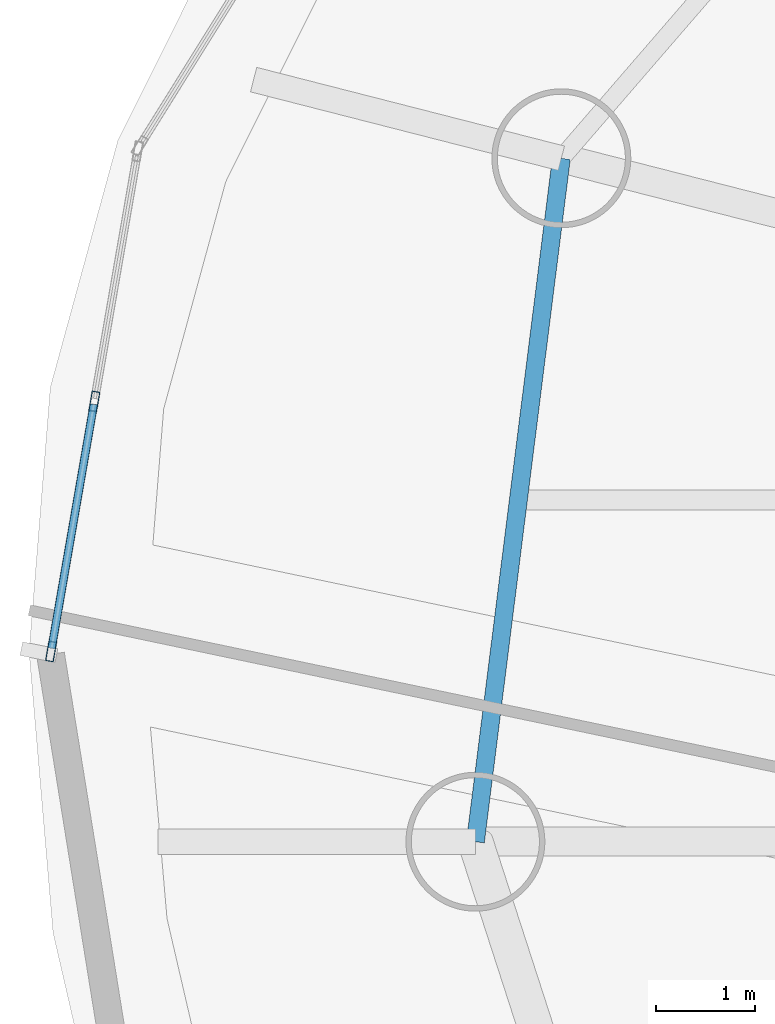
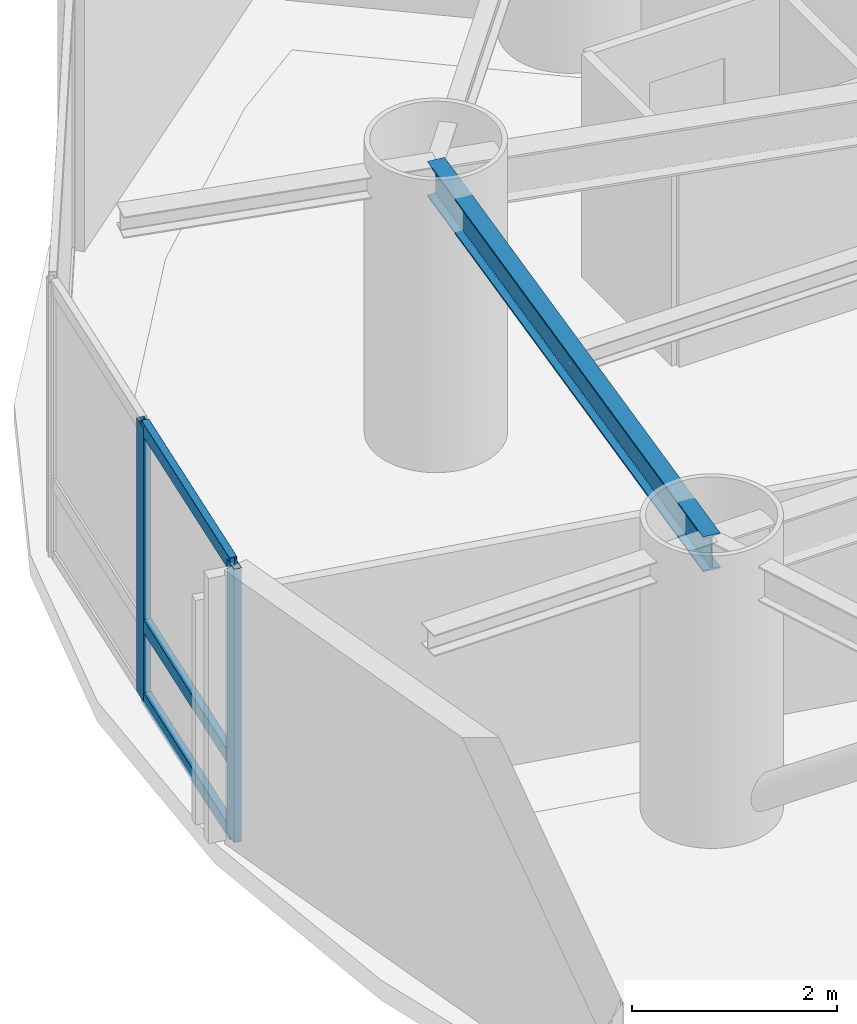
# One storey, part 5 of 22: 5 members, 1 beam, 1 element without a shape of its own.
"""IFC4 building model written with IfcOpenShell, lengths in metres."""

from ifc_helpers import new_model, si_unit, direction, frame, origin, origin_2d, place, context, subcontext, project, spatial, hollow_rectangle, i_section, extrude, material, layer, layer_set, material_profile, profile_set, type_object, element, aggregate, save


model = new_model("IFC4")

# Units and contexts
model_context = context("Model", 3, precision=1e-05, world=origin(), true_north=direction((0.0, 1.0)))
body_context = subcontext(model_context, "Body", "Model", "MODEL_VIEW")
ifc_project = project(units=[si_unit("LENGTHUNIT", "METRE"), si_unit("AREAUNIT", "SQUARE_METRE"), si_unit("VOLUMEUNIT", "CUBIC_METRE"), si_unit("PLANEANGLEUNIT", "RADIAN"), si_unit("MASSUNIT", "GRAM", prefix="KILO")], contexts=[model_context])

# Site, building, storey
site_placement = place(None, origin())
site = spatial("IfcSite", under=ifc_project, at=site_placement, CompositionType="ELEMENT")
building_placement = place(site_placement, origin())
building = spatial("IfcBuilding", under=site, at=building_placement, Name="Bramvorn Convention Spire", CompositionType="ELEMENT")
storey_placement = place(building_placement, frame((0.0, 0.0, 116.800048828125)))
storey = spatial("IfcBuildingStorey", under=building, at=storey_placement, Name="L28", CompositionType="ELEMENT", Elevation=116.800048828125)

# Beam
ifc_material_1 = material(Name="Steel CSA G40.21 Grade 350 (350W)", Category="steel")
ifc_material_profile_1 = material_profile(ifc_material_1, i_section(OverallWidth=0.180908203125, OverallDepth=0.4169921875, WebThickness=0.010986328125, FlangeThickness=0.018310546875, FilletRadius=0.01611328125, at=origin_2d()))
ifc_profile_set_1 = profile_set([ifc_material_profile_1], Name="Steel CSA G40.21 Grade 350 (350W) - W410X85")
beam_type = type_object("IfcBeamType", Name="BM-W410X85", PredefinedType="JOIST", material=ifc_profile_set_1)
beam_placement = place(storey_placement, frame((13.88232421875, 36.73779296875, 3.051513671875), z_axis=(-0.124775053879, -0.992185056292, 0.0), x_axis=(0.992185056292, -0.124775053879, 0.0)))
element("IfcBeam", 1, at=beam_placement, inside=storey, type_object=beam_type, Name="L28 mega-column ring beam 09", PredefinedType="JOIST", context=body_context, shape_type="SweptSolid", body=[
    extrude(i_section(OverallWidth=0.180908203125, OverallDepth=0.4169921875, WebThickness=0.010986328125, FlangeThickness=0.018310546875, FilletRadius=0.01611328125, at=origin_2d()), origin(), (0.0, 0.0, 1.0), 6.940185546875),
])

# Curtain wall, members
ifc_material_2 = material(Name="Anodised Bronze Unitised Curtain Wall", Category="aluminium")
ifc_layer = layer(ifc_material_2, 0.179931640625)
ifc_layer_set = layer_set([ifc_layer], Name="Anodised Bronze Unitised Curtain Wall - CW-HTL-FRIT")
curtain_wall_type = type_object("IfcCurtainWallType", Name="CW-HTL-FRIT", PredefinedType="USERDEFINED", material=ifc_layer_set)
curtain_wall_placement = place(storey_placement, origin())
curtain_wall = element("IfcCurtainWall", 2, at=curtain_wall_placement, inside=storey, type_object=curtain_wall_type, Name="L28 fritted glass curtain wall 13", ObjectType="UNITISED CURTAIN WALL", PredefinedType="USERDEFINED")
ifc_material_3 = material(Name="Anodised Bronze Aluminium 6063-T6", Category="aluminium")
ifc_material_profile_2 = material_profile(ifc_material_3, hollow_rectangle(XDim=0.080078125, YDim=0.199951171875, WallThickness=0.00390625, InnerFilletRadius=0.0009765625, OuterFilletRadius=0.00390625, at=origin_2d()))
ifc_profile_set_2 = profile_set([ifc_material_profile_2], Name="Anodised Bronze Aluminium 6063-T6 - CWM80X200")
member_type_1 = type_object("IfcMemberType", Name="CW-MUL-180", PredefinedType="MULLION", material=ifc_profile_set_2)
member_1_placement = place(storey_placement, frame((8.7412109375, 31.768798828125, 0.0), z_axis=(0.0, 0.0, 1.0), x_axis=(-0.985341823442, 0.170591591163, 0.0)))
member_1 = element("IfcMember", 3, at=member_1_placement, type_object=member_type_1, Name="CW2 mullion 1", PredefinedType="MULLION", context=body_context, shape_type="SweptSolid", body=[
    extrude(hollow_rectangle(XDim=0.080078125, YDim=0.199951171875, WallThickness=0.00390625, InnerFilletRadius=0.0009765625, OuterFilletRadius=0.00390625, at=origin_2d()), origin(), (0.0, 0.0, 1.0), 3.260009765625),
])
member_2_placement = place(storey_placement, frame((9.177490234375, 34.288330078125, 0.0), z_axis=(0.0, 0.0, 1.0), x_axis=(-0.985341823442, 0.170591591163, 0.0)))
member_2 = element("IfcMember", 4, at=member_2_placement, type_object=member_type_1, Name="CW2 mullion 2", PredefinedType="MULLION", context=body_context, shape_type="SweptSolid", body=[
    extrude(hollow_rectangle(XDim=0.080078125, YDim=0.199951171875, WallThickness=0.00390625, InnerFilletRadius=0.0009765625, OuterFilletRadius=0.00390625, at=origin_2d()), origin(), (0.0, 0.0, 1.0), 3.260009765625),
])
ifc_material_profile_3 = material_profile(ifc_material_3, hollow_rectangle(XDim=0.080078125, YDim=0.159912109375, WallThickness=0.00390625, InnerFilletRadius=0.0009765625, OuterFilletRadius=0.00390625, at=origin_2d()))
ifc_profile_set_3 = profile_set([ifc_material_profile_3], Name="Anodised Bronze Aluminium 6063-T6 - CWT80X160")
member_type_2 = type_object("IfcMemberType", Name="CW-TRN-150", PredefinedType="USERDEFINED", material=ifc_profile_set_3)
member_3_placement = place(storey_placement, frame((8.746337890625, 31.79833984375, 0.030029296875), z_axis=(0.170610803466, 0.985338497036, 0.0), x_axis=(-0.985338497036, 0.170610803466, 0.0)))
member_3 = element("IfcMember", 5, at=member_3_placement, type_object=member_type_2, Name="CW2 transom 1.1", ObjectType="TRANSOM", PredefinedType="USERDEFINED", context=body_context, shape_type="SweptSolid", body=[
    extrude(hollow_rectangle(XDim=0.080078125, YDim=0.159912109375, WallThickness=0.00390625, InnerFilletRadius=0.0009765625, OuterFilletRadius=0.00390625, at=origin_2d()), origin(), (0.0, 0.0, 1.0), 2.4970703125),
])
member_4_placement = place(storey_placement, frame((8.746337890625, 31.79833984375, 0.89990234375), z_axis=(0.170610803466, 0.985338497036, 0.0), x_axis=(-0.985338497036, 0.170610803466, 0.0)))
member_4 = element("IfcMember", 6, at=member_4_placement, type_object=member_type_2, Name="CW2 transom 1.2", ObjectType="TRANSOM", PredefinedType="USERDEFINED", context=body_context, shape_type="SweptSolid", body=[
    extrude(hollow_rectangle(XDim=0.080078125, YDim=0.159912109375, WallThickness=0.00390625, InnerFilletRadius=0.0009765625, OuterFilletRadius=0.00390625, at=origin_2d()), origin(), (0.0, 0.0, 1.0), 2.4970703125),
])
member_5_placement = place(storey_placement, frame((8.746337890625, 31.79833984375, 3.22998046875), z_axis=(0.170610803466, 0.985338497036, 0.0), x_axis=(-0.985338497036, 0.170610803466, 0.0)))
member_5 = element("IfcMember", 7, at=member_5_placement, type_object=member_type_2, Name="CW2 transom 1.3", ObjectType="TRANSOM", PredefinedType="USERDEFINED", context=body_context, shape_type="SweptSolid", body=[
    extrude(hollow_rectangle(XDim=0.080078125, YDim=0.159912109375, WallThickness=0.00390625, InnerFilletRadius=0.0009765625, OuterFilletRadius=0.00390625, at=origin_2d()), origin(), (0.0, 0.0, 1.0), 2.4970703125),
])
aggregate(curtain_wall, [member_1, member_2, member_3, member_4, member_5])

save(model, "model.ifc")
